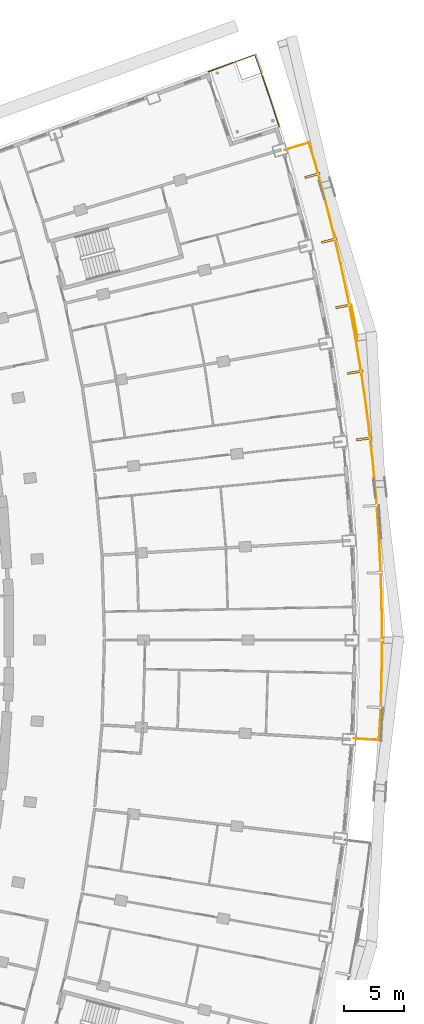
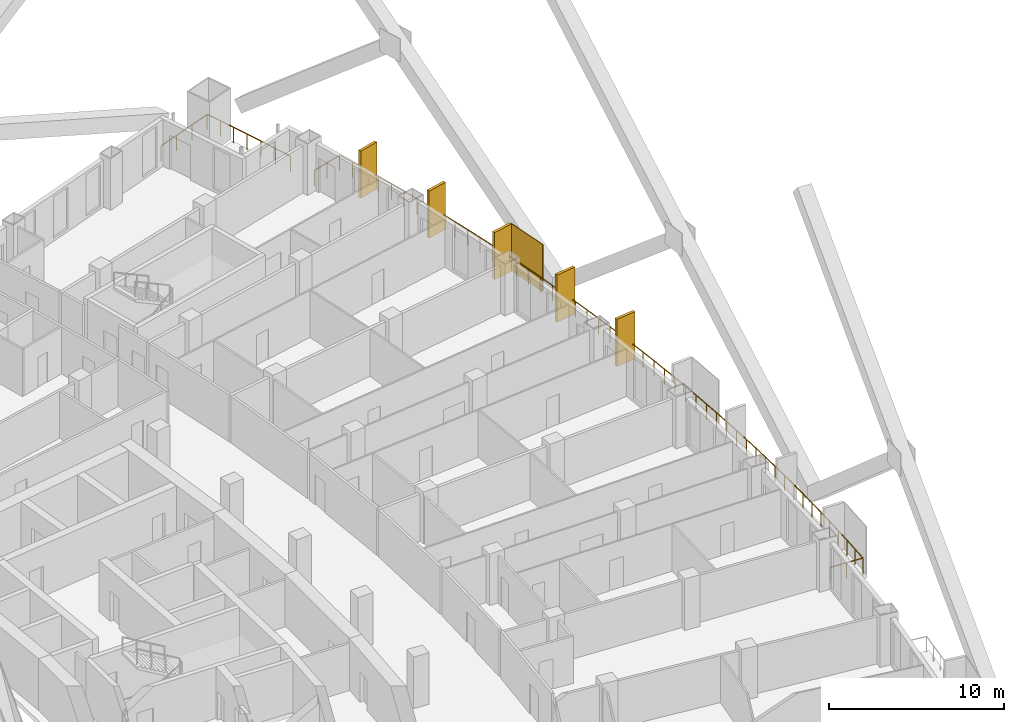
# One storey, part 26 of 26: 6 shading devices, 2 railings.
"""IFC4 building model written with IfcOpenShell, lengths in metres."""

from ifc_helpers import new_model, si_unit, direction, frame, origin, origin_2d, place, context, subcontext, project, spatial, rectangle, extrude, material, layer, layer_set, type_object, element, save


model = new_model("IFC4")

# Units and contexts
model_context = context("Model", 3, precision=1e-05, world=origin(), true_north=direction((0.0, 1.0)))
body_context = subcontext(model_context, "Body", "Model", "MODEL_VIEW")
ifc_project = project(units=[si_unit("LENGTHUNIT", "METRE"), si_unit("AREAUNIT", "SQUARE_METRE"), si_unit("VOLUMEUNIT", "CUBIC_METRE"), si_unit("PLANEANGLEUNIT", "RADIAN"), si_unit("MASSUNIT", "GRAM", prefix="KILO")], contexts=[model_context])

# Site, building, storey
site_placement = place(None, origin())
site = spatial("IfcSite", under=ifc_project, at=site_placement, CompositionType="ELEMENT")
building_placement = place(site_placement, origin())
building = spatial("IfcBuilding", under=site, at=building_placement, Name="Alderwake Tower", CompositionType="ELEMENT")
storey_placement = place(building_placement, frame((0.0, 0.0, 82.39990234375)))
storey = spatial("IfcBuildingStorey", under=building, at=storey_placement, Name="L19", CompositionType="ELEMENT", Elevation=82.39990234375)

# Railings
ifc_material_1 = material(Name="Stainless steel 316 rail and posts", Category="steel")
railing_type = type_object("IfcRailingType", Name="Balcony guard 1100", PredefinedType="GUARDRAIL", material=ifc_material_1)
railing_1_placement = place(storey_placement, frame((61.9638671875, 52.80810546875, 0.0)))
element("IfcRailing", 1, at=railing_1_placement, inside=storey, type_object=railing_type, Name="Guard BF06", PredefinedType="GUARDRAIL", context=body_context, shape_type="SweptSolid", body=[
    extrude(rectangle(XDim=0.048095703125, YDim=0.048095703125, at=origin_2d()), frame((0.0, 0.0, 1.076171875), z_axis=(0.998335953918, -0.057665614667, 0.0), x_axis=(0.057665614667, 0.998335953918, 0.0)), (0.0, 0.0, 1.0), 2.099853515625),
    extrude(rectangle(XDim=0.048095703125, YDim=0.048095703125, at=origin_2d()), frame((2.096435546875, -0.12109375, 1.076171875), z_axis=(0.050666548811, 0.998715625607, 0.0), x_axis=(-0.998715625607, 0.050666548811, 0.0)), (0.0, 0.0, 1.0), 2.004638671875),
    extrude(rectangle(XDim=0.048095703125, YDim=0.048095703125, at=origin_2d()), frame((2.197998046875, 1.880859375, 1.076171875), z_axis=(0.036432316563, 0.999336122788, 0.0), x_axis=(-0.999336122788, 0.036432316563, 0.0)), (0.0, 0.0, 1.0), 2.104248046875),
    extrude(rectangle(XDim=0.048095703125, YDim=0.048095703125, at=origin_2d()), frame((2.274658203125, 3.983642578125, 1.076171875), z_axis=(0.021925570375, 0.999759605787, 0.0), x_axis=(-0.999759605787, 0.021925570375, 0.0)), (0.0, 0.0, 1.0), 2.1044921875),
    extrude(rectangle(XDim=0.048095703125, YDim=0.048095703125, at=origin_2d()), frame((2.32080078125, 6.087646484375, 1.076171875), z_axis=(0.007309237393, 0.999973287168, 0.0), x_axis=(-0.999973287168, 0.007309237393, 0.0)), (0.0, 0.0, 1.0), 2.104248046875),
    extrude(rectangle(XDim=0.048095703125, YDim=0.048095703125, at=origin_2d()), frame((2.336181640625, 8.19189453125, 1.076171875), z_axis=(-0.007309237393, 0.999973287168, 0.0), x_axis=(-0.999973287168, -0.007309237393, 0.0)), (0.0, 0.0, 1.0), 2.104248046875),
    extrude(rectangle(XDim=0.048095703125, YDim=0.048095703125, at=origin_2d()), frame((2.32080078125, 10.296142578125, 1.076171875), z_axis=(-0.021925570375, 0.999759605787, 0.0), x_axis=(-0.999759605787, -0.021925570375, 0.0)), (0.0, 0.0, 1.0), 2.1044921875),
    extrude(rectangle(XDim=0.048095703125, YDim=0.048095703125, at=origin_2d()), frame((2.274658203125, 12.400146484375, 1.076171875), z_axis=(-0.036432316563, 0.999336122788, 0.0), x_axis=(-0.999336122788, -0.036432316563, 0.0)), (0.0, 0.0, 1.0), 2.104248046875),
    extrude(rectangle(XDim=0.048095703125, YDim=0.048095703125, at=origin_2d()), frame((2.197998046875, 14.5029296875, 1.076171875), z_axis=(-0.050932877851, 0.998702078677, 0.0), x_axis=(-0.998702078677, -0.050932877851, 0.0)), (0.0, 0.0, 1.0), 2.104248046875),
    extrude(rectangle(XDim=0.048095703125, YDim=0.048095703125, at=origin_2d()), frame((2.0908203125, 16.6044921875, 1.076171875), z_axis=(-0.065656675921, 0.99784227256, 0.0), x_axis=(-0.99784227256, -0.065656675921, 0.0)), (0.0, 0.0, 1.0), 2.104736328125),
    extrude(rectangle(XDim=0.048095703125, YDim=0.048095703125, at=origin_2d()), frame((1.95263671875, 18.70458984375, 1.076171875), z_axis=(-0.080058805511, 0.996790142237, 0.0), x_axis=(-0.996790142237, -0.080058805511, 0.0)), (0.0, 0.0, 1.0), 2.104248046875),
    extrude(rectangle(XDim=0.048095703125, YDim=0.048095703125, at=origin_2d()), frame((1.7841796875, 20.802001953125, 1.076171875), z_axis=(-0.094666747409, 0.995509019012, 0.0), x_axis=(-0.995509019012, -0.094666747409, 0.0)), (0.0, 0.0, 1.0), 2.1044921875),
    extrude(rectangle(XDim=0.048095703125, YDim=0.048095703125, at=origin_2d()), frame((1.5849609375, 22.89697265625, 1.076171875), z_axis=(-0.109170827012, 0.994023003018, 0.0), x_axis=(-0.994023003018, -0.109170827012, 0.0)), (0.0, 0.0, 1.0), 2.1044921875),
    extrude(rectangle(XDim=0.048095703125, YDim=0.048095703125, at=origin_2d()), frame((1.355224609375, 24.98876953125, 1.076171875), z_axis=(-0.123677740732, 0.992322435727, 0.0), x_axis=(-0.992322435727, -0.123677740732, 0.0)), (0.0, 0.0, 1.0), 2.104248046875),
    extrude(rectangle(XDim=0.048095703125, YDim=0.048095703125, at=origin_2d()), frame((1.094970703125, 27.076904296875, 1.076171875), z_axis=(-0.138058412224, 0.990424088365, 0.0), x_axis=(-0.990424088365, -0.138058412224, 0.0)), (0.0, 0.0, 1.0), 2.1044921875),
    extrude(rectangle(XDim=0.048095703125, YDim=0.048095703125, at=origin_2d()), frame((0.804443359375, 29.1611328125, 1.076171875), z_axis=(-0.152554066346, 0.988295126388, 0.0), x_axis=(-0.988295126388, -0.152554066346, 0.0)), (0.0, 0.0, 1.0), 2.1044921875),
    extrude(rectangle(XDim=0.048095703125, YDim=0.048095703125, at=origin_2d()), frame((0.4833984375, 31.240966796875, 1.076171875), z_axis=(-0.166957213464, 0.985964141778, 0.0), x_axis=(-0.985964141778, -0.166957213464, 0.0)), (0.0, 0.0, 1.0), 2.104248046875),
    extrude(rectangle(XDim=0.048095703125, YDim=0.048095703125, at=origin_2d()), frame((0.132080078125, 33.315673828125, 1.076171875), z_axis=(-0.181212626515, 0.983443940442, 0.0), x_axis=(-0.983443940442, -0.181212626515, 0.0)), (0.0, 0.0, 1.0), 2.1044921875),
    extrude(rectangle(XDim=0.048095703125, YDim=0.048095703125, at=origin_2d()), frame((-0.249267578125, 35.38525390625, 1.076171875), z_axis=(-0.195602960633, 0.980683170954, 0.0), x_axis=(-0.980683170954, -0.195602960633, 0.0)), (0.0, 0.0, 1.0), 2.1044921875),
    extrude(rectangle(XDim=0.048095703125, YDim=0.048095703125, at=origin_2d()), frame((-0.660888671875, 37.448974609375, 1.076171875), z_axis=(-0.209885633333, 0.977725943668, 0.0), x_axis=(-0.977725943668, -0.209885633333, 0.0)), (0.0, 0.0, 1.0), 2.104248046875),
    extrude(rectangle(XDim=0.048095703125, YDim=0.048095703125, at=origin_2d()), frame((-1.1025390625, 39.50634765625, 1.076171875), z_axis=(-0.224147692921, 0.974555186615, 0.0), x_axis=(-0.974555186615, -0.224147692921, 0.0)), (0.0, 0.0, 1.0), 2.104248046875),
    extrude(rectangle(XDim=0.048095703125, YDim=0.048095703125, at=origin_2d()), frame((-1.57421875, 41.55712890625, 1.076171875), z_axis=(-0.238302054277, 0.971191088781, 0.0), x_axis=(-0.971191088781, -0.238302054277, 0.0)), (0.0, 0.0, 1.0), 2.104248046875),
    extrude(rectangle(XDim=0.048095703125, YDim=0.048095703125, at=origin_2d()), frame((-2.07568359375, 43.600830078125, 1.076171875), z_axis=(-0.252431341957, 0.967614808484, 0.0), x_axis=(-0.967614808484, -0.252431341957, 0.0)), (0.0, 0.0, 1.0), 2.1044921875),
    extrude(rectangle(XDim=0.048095703125, YDim=0.048095703125, at=origin_2d()), frame((-2.60693359375, 45.63720703125, 1.076171875), z_axis=(-0.266620451379, 0.963801605574, 0.0), x_axis=(-0.963801605574, -0.266620451379, 0.0)), (0.0, 0.0, 1.0), 2.104248046875),
    extrude(rectangle(XDim=0.048095703125, YDim=0.048095703125, at=origin_2d()), frame((-3.16796875, 47.665283203125, 1.076171875), z_axis=(-0.280154349247, 0.959954968005, 0.0), x_axis=(-0.959954968005, -0.280154349247, 0.0)), (0.0, 0.0, 1.0), 2.00439453125),
    extrude(rectangle(XDim=0.048095703125, YDim=0.048095703125, at=origin_2d()), frame((-3.7294921875, 49.58935546875, 1.076171875), z_axis=(-0.957986128201, -0.286814536198, 0.0), x_axis=(0.286814536198, -0.957986128201, 0.0)), (0.0, 0.0, 1.0), 2.099853515625),
    extrude(rectangle(XDim=0.0419921875, YDim=0.0419921875, at=origin_2d()), frame((0.0, 0.0, 0.0), z_axis=(0.0, 0.0, 1.0), x_axis=(0.998335953918, -0.057665614667, 0.0)), (0.0, 0.0, 1.0), 1.052001953125),
    extrude(rectangle(XDim=0.0419921875, YDim=0.0419921875, at=origin_2d()), frame((1.04833984375, -0.060546875, 0.0), z_axis=(0.0, 0.0, 1.0), x_axis=(0.998335953918, -0.057665614667, 0.0)), (0.0, 0.0, 1.0), 1.052001953125),
    extrude(rectangle(XDim=0.0419921875, YDim=0.0419921875, at=origin_2d()), frame((2.096435546875, -0.12109375, 0.0), z_axis=(0.0, 0.0, 1.0), x_axis=(0.050666548811, 0.998715625607, 0.0)), (0.0, 0.0, 1.0), 1.052001953125),
    extrude(rectangle(XDim=0.0419921875, YDim=0.0419921875, at=origin_2d()), frame((2.147216796875, 0.8798828125, 0.0), z_axis=(0.0, 0.0, 1.0), x_axis=(0.050666548811, 0.998715625607, 0.0)), (0.0, 0.0, 1.0), 1.052001953125),
    extrude(rectangle(XDim=0.0419921875, YDim=0.0419921875, at=origin_2d()), frame((2.197998046875, 1.880859375, 0.0), z_axis=(0.0, 0.0, 1.0), x_axis=(0.036432316563, 0.999336122788, 0.0)), (0.0, 0.0, 1.0), 1.052001953125),
    extrude(rectangle(XDim=0.0419921875, YDim=0.0419921875, at=origin_2d()), frame((2.236328125, 2.93212890625, 0.0), z_axis=(0.0, 0.0, 1.0), x_axis=(0.036432316563, 0.999336122788, 0.0)), (0.0, 0.0, 1.0), 1.052001953125),
    extrude(rectangle(XDim=0.0419921875, YDim=0.0419921875, at=origin_2d()), frame((2.274658203125, 3.983642578125, 0.0), z_axis=(0.0, 0.0, 1.0), x_axis=(0.021925570375, 0.999759605787, 0.0)), (0.0, 0.0, 1.0), 1.052001953125),
    extrude(rectangle(XDim=0.0419921875, YDim=0.0419921875, at=origin_2d()), frame((2.2978515625, 5.03564453125, 0.0), z_axis=(0.0, 0.0, 1.0), x_axis=(0.021925570375, 0.999759605787, 0.0)), (0.0, 0.0, 1.0), 1.052001953125),
    extrude(rectangle(XDim=0.0419921875, YDim=0.0419921875, at=origin_2d()), frame((2.32080078125, 6.087646484375, 0.0), z_axis=(0.0, 0.0, 1.0), x_axis=(0.007309237393, 0.999973287168, 0.0)), (0.0, 0.0, 1.0), 1.052001953125),
    extrude(rectangle(XDim=0.0419921875, YDim=0.0419921875, at=origin_2d()), frame((2.32861328125, 7.1396484375, 0.0), z_axis=(0.0, 0.0, 1.0), x_axis=(0.007309237393, 0.999973287168, 0.0)), (0.0, 0.0, 1.0), 1.052001953125),
    extrude(rectangle(XDim=0.0419921875, YDim=0.0419921875, at=origin_2d()), frame((2.336181640625, 8.19189453125, 0.0), z_axis=(0.0, 0.0, 1.0), x_axis=(-0.007309237393, 0.999973287168, 0.0)), (0.0, 0.0, 1.0), 1.052001953125),
    extrude(rectangle(XDim=0.0419921875, YDim=0.0419921875, at=origin_2d()), frame((2.32861328125, 9.244140625, 0.0), z_axis=(0.0, 0.0, 1.0), x_axis=(-0.007309237393, 0.999973287168, 0.0)), (0.0, 0.0, 1.0), 1.052001953125),
    extrude(rectangle(XDim=0.0419921875, YDim=0.0419921875, at=origin_2d()), frame((2.32080078125, 10.296142578125, 0.0), z_axis=(0.0, 0.0, 1.0), x_axis=(-0.021925570375, 0.999759605787, 0.0)), (0.0, 0.0, 1.0), 1.052001953125),
    extrude(rectangle(XDim=0.0419921875, YDim=0.0419921875, at=origin_2d()), frame((2.2978515625, 11.34814453125, 0.0), z_axis=(0.0, 0.0, 1.0), x_axis=(-0.021925570375, 0.999759605787, 0.0)), (0.0, 0.0, 1.0), 1.052001953125),
    extrude(rectangle(XDim=0.0419921875, YDim=0.0419921875, at=origin_2d()), frame((2.274658203125, 12.400146484375, 0.0), z_axis=(0.0, 0.0, 1.0), x_axis=(-0.036432316563, 0.999336122788, 0.0)), (0.0, 0.0, 1.0), 1.052001953125),
    extrude(rectangle(XDim=0.0419921875, YDim=0.0419921875, at=origin_2d()), frame((2.236328125, 13.45166015625, 0.0), z_axis=(0.0, 0.0, 1.0), x_axis=(-0.036432316563, 0.999336122788, 0.0)), (0.0, 0.0, 1.0), 1.052001953125),
    extrude(rectangle(XDim=0.0419921875, YDim=0.0419921875, at=origin_2d()), frame((2.197998046875, 14.5029296875, 0.0), z_axis=(0.0, 0.0, 1.0), x_axis=(-0.050932877851, 0.998702078677, 0.0)), (0.0, 0.0, 1.0), 1.052001953125),
    extrude(rectangle(XDim=0.0419921875, YDim=0.0419921875, at=origin_2d()), frame((2.14453125, 15.5537109375, 0.0), z_axis=(0.0, 0.0, 1.0), x_axis=(-0.050932877851, 0.998702078677, 0.0)), (0.0, 0.0, 1.0), 1.052001953125),
    extrude(rectangle(XDim=0.0419921875, YDim=0.0419921875, at=origin_2d()), frame((2.0908203125, 16.6044921875, 0.0), z_axis=(0.0, 0.0, 1.0), x_axis=(-0.065656675921, 0.99784227256, 0.0)), (0.0, 0.0, 1.0), 1.052001953125),
    extrude(rectangle(XDim=0.0419921875, YDim=0.0419921875, at=origin_2d()), frame((2.021728515625, 17.654541015625, 0.0), z_axis=(0.0, 0.0, 1.0), x_axis=(-0.065656675921, 0.99784227256, 0.0)), (0.0, 0.0, 1.0), 1.052001953125),
    extrude(rectangle(XDim=0.0419921875, YDim=0.0419921875, at=origin_2d()), frame((1.95263671875, 18.70458984375, 0.0), z_axis=(0.0, 0.0, 1.0), x_axis=(-0.080058805511, 0.996790142237, 0.0)), (0.0, 0.0, 1.0), 1.052001953125),
    extrude(rectangle(XDim=0.0419921875, YDim=0.0419921875, at=origin_2d()), frame((1.868408203125, 19.75341796875, 0.0), z_axis=(0.0, 0.0, 1.0), x_axis=(-0.080058805511, 0.996790142237, 0.0)), (0.0, 0.0, 1.0), 1.052001953125),
    extrude(rectangle(XDim=0.0419921875, YDim=0.0419921875, at=origin_2d()), frame((1.7841796875, 20.802001953125, 0.0), z_axis=(0.0, 0.0, 1.0), x_axis=(-0.094666747409, 0.995509019012, 0.0)), (0.0, 0.0, 1.0), 1.052001953125),
    extrude(rectangle(XDim=0.0419921875, YDim=0.0419921875, at=origin_2d()), frame((1.6845703125, 21.849609375, 0.0), z_axis=(0.0, 0.0, 1.0), x_axis=(-0.094666747409, 0.995509019012, 0.0)), (0.0, 0.0, 1.0), 1.052001953125),
    extrude(rectangle(XDim=0.0419921875, YDim=0.0419921875, at=origin_2d()), frame((1.5849609375, 22.89697265625, 0.0), z_axis=(0.0, 0.0, 1.0), x_axis=(-0.109170827012, 0.994023003018, 0.0)), (0.0, 0.0, 1.0), 1.052001953125),
    extrude(rectangle(XDim=0.0419921875, YDim=0.0419921875, at=origin_2d()), frame((1.47021484375, 23.94287109375, 0.0), z_axis=(0.0, 0.0, 1.0), x_axis=(-0.109170827012, 0.994023003018, 0.0)), (0.0, 0.0, 1.0), 1.052001953125),
    extrude(rectangle(XDim=0.0419921875, YDim=0.0419921875, at=origin_2d()), frame((1.355224609375, 24.98876953125, 0.0), z_axis=(0.0, 0.0, 1.0), x_axis=(-0.123677740732, 0.992322435727, 0.0)), (0.0, 0.0, 1.0), 1.052001953125),
    extrude(rectangle(XDim=0.0419921875, YDim=0.0419921875, at=origin_2d()), frame((1.22509765625, 26.03271484375, 0.0), z_axis=(0.0, 0.0, 1.0), x_axis=(-0.123677740732, 0.992322435727, 0.0)), (0.0, 0.0, 1.0), 1.052001953125),
    extrude(rectangle(XDim=0.0419921875, YDim=0.0419921875, at=origin_2d()), frame((1.094970703125, 27.076904296875, 0.0), z_axis=(0.0, 0.0, 1.0), x_axis=(-0.138058412224, 0.990424088365, 0.0)), (0.0, 0.0, 1.0), 1.052001953125),
    extrude(rectangle(XDim=0.0419921875, YDim=0.0419921875, at=origin_2d()), frame((0.94970703125, 28.119140625, 0.0), z_axis=(0.0, 0.0, 1.0), x_axis=(-0.138058412224, 0.990424088365, 0.0)), (0.0, 0.0, 1.0), 1.052001953125),
    extrude(rectangle(XDim=0.0419921875, YDim=0.0419921875, at=origin_2d()), frame((0.804443359375, 29.1611328125, 0.0), z_axis=(0.0, 0.0, 1.0), x_axis=(-0.152554066346, 0.988295126388, 0.0)), (0.0, 0.0, 1.0), 1.052001953125),
    extrude(rectangle(XDim=0.0419921875, YDim=0.0419921875, at=origin_2d()), frame((0.64404296875, 30.201171875, 0.0), z_axis=(0.0, 0.0, 1.0), x_axis=(-0.152554066346, 0.988295126388, 0.0)), (0.0, 0.0, 1.0), 1.052001953125),
    extrude(rectangle(XDim=0.0419921875, YDim=0.0419921875, at=origin_2d()), frame((0.4833984375, 31.240966796875, 0.0), z_axis=(0.0, 0.0, 1.0), x_axis=(-0.166957213464, 0.985964141778, 0.0)), (0.0, 0.0, 1.0), 1.052001953125),
    extrude(rectangle(XDim=0.0419921875, YDim=0.0419921875, at=origin_2d()), frame((0.3076171875, 32.2783203125, 0.0), z_axis=(0.0, 0.0, 1.0), x_axis=(-0.166957213464, 0.985964141778, 0.0)), (0.0, 0.0, 1.0), 1.052001953125),
    extrude(rectangle(XDim=0.0419921875, YDim=0.0419921875, at=origin_2d()), frame((0.132080078125, 33.315673828125, 0.0), z_axis=(0.0, 0.0, 1.0), x_axis=(-0.181212626515, 0.983443940442, 0.0)), (0.0, 0.0, 1.0), 1.052001953125),
    extrude(rectangle(XDim=0.0419921875, YDim=0.0419921875, at=origin_2d()), frame((-0.05859375, 34.3505859375, 0.0), z_axis=(0.0, 0.0, 1.0), x_axis=(-0.181212626515, 0.983443940442, 0.0)), (0.0, 0.0, 1.0), 1.052001953125),
    extrude(rectangle(XDim=0.0419921875, YDim=0.0419921875, at=origin_2d()), frame((-0.249267578125, 35.38525390625, 0.0), z_axis=(0.0, 0.0, 1.0), x_axis=(-0.195602960633, 0.980683170954, 0.0)), (0.0, 0.0, 1.0), 1.052001953125),
    extrude(rectangle(XDim=0.0419921875, YDim=0.0419921875, at=origin_2d()), frame((-0.455078125, 36.4169921875, 0.0), z_axis=(0.0, 0.0, 1.0), x_axis=(-0.195602960633, 0.980683170954, 0.0)), (0.0, 0.0, 1.0), 1.052001953125),
    extrude(rectangle(XDim=0.0419921875, YDim=0.0419921875, at=origin_2d()), frame((-0.660888671875, 37.448974609375, 0.0), z_axis=(0.0, 0.0, 1.0), x_axis=(-0.209885633333, 0.977725943668, 0.0)), (0.0, 0.0, 1.0), 1.052001953125),
    extrude(rectangle(XDim=0.0419921875, YDim=0.0419921875, at=origin_2d()), frame((-0.8818359375, 38.4775390625, 0.0), z_axis=(0.0, 0.0, 1.0), x_axis=(-0.209885633333, 0.977725943668, 0.0)), (0.0, 0.0, 1.0), 1.052001953125),
    extrude(rectangle(XDim=0.0419921875, YDim=0.0419921875, at=origin_2d()), frame((-1.1025390625, 39.50634765625, 0.0), z_axis=(0.0, 0.0, 1.0), x_axis=(-0.224147692921, 0.974555186615, 0.0)), (0.0, 0.0, 1.0), 1.052001953125),
    extrude(rectangle(XDim=0.0419921875, YDim=0.0419921875, at=origin_2d()), frame((-1.33837890625, 40.53173828125, 0.0), z_axis=(0.0, 0.0, 1.0), x_axis=(-0.224147692921, 0.974555186615, 0.0)), (0.0, 0.0, 1.0), 1.052001953125),
    extrude(rectangle(XDim=0.0419921875, YDim=0.0419921875, at=origin_2d()), frame((-1.57421875, 41.55712890625, 0.0), z_axis=(0.0, 0.0, 1.0), x_axis=(-0.238302054277, 0.971191088781, 0.0)), (0.0, 0.0, 1.0), 1.052001953125),
    extrude(rectangle(XDim=0.0419921875, YDim=0.0419921875, at=origin_2d()), frame((-1.824951171875, 42.5791015625, 0.0), z_axis=(0.0, 0.0, 1.0), x_axis=(-0.238302054277, 0.971191088781, 0.0)), (0.0, 0.0, 1.0), 1.052001953125),
    extrude(rectangle(XDim=0.0419921875, YDim=0.0419921875, at=origin_2d()), frame((-2.07568359375, 43.600830078125, 0.0), z_axis=(0.0, 0.0, 1.0), x_axis=(-0.252431341957, 0.967614808484, 0.0)), (0.0, 0.0, 1.0), 1.052001953125),
    extrude(rectangle(XDim=0.0419921875, YDim=0.0419921875, at=origin_2d()), frame((-2.34130859375, 44.619140625, 0.0), z_axis=(0.0, 0.0, 1.0), x_axis=(-0.252431341957, 0.967614808484, 0.0)), (0.0, 0.0, 1.0), 1.052001953125),
    extrude(rectangle(XDim=0.0419921875, YDim=0.0419921875, at=origin_2d()), frame((-2.60693359375, 45.63720703125, 0.0), z_axis=(0.0, 0.0, 1.0), x_axis=(-0.266620451379, 0.963801605574, 0.0)), (0.0, 0.0, 1.0), 1.052001953125),
    extrude(rectangle(XDim=0.0419921875, YDim=0.0419921875, at=origin_2d()), frame((-2.887451171875, 46.6513671875, 0.0), z_axis=(0.0, 0.0, 1.0), x_axis=(-0.266620451379, 0.963801605574, 0.0)), (0.0, 0.0, 1.0), 1.052001953125),
    extrude(rectangle(XDim=0.0419921875, YDim=0.0419921875, at=origin_2d()), frame((-3.16796875, 47.665283203125, 0.0), z_axis=(0.0, 0.0, 1.0), x_axis=(-0.280154349247, 0.959954968005, 0.0)), (0.0, 0.0, 1.0), 1.052001953125),
    extrude(rectangle(XDim=0.0419921875, YDim=0.0419921875, at=origin_2d()), frame((-3.44873046875, 48.62744140625, 0.0), z_axis=(0.0, 0.0, 1.0), x_axis=(-0.280154349247, 0.959954968005, 0.0)), (0.0, 0.0, 1.0), 1.052001953125),
    extrude(rectangle(XDim=0.0419921875, YDim=0.0419921875, at=origin_2d()), frame((-3.7294921875, 49.58935546875, 0.0), z_axis=(0.0, 0.0, 1.0), x_axis=(-0.957986128201, -0.286814536198, 0.0)), (0.0, 0.0, 1.0), 1.052001953125),
    extrude(rectangle(XDim=0.0419921875, YDim=0.0419921875, at=origin_2d()), frame((-4.7353515625, 49.2880859375, 0.0), z_axis=(0.0, 0.0, 1.0), x_axis=(-0.957986128201, -0.286814536198, 0.0)), (0.0, 0.0, 1.0), 1.052001953125),
    extrude(rectangle(XDim=0.0419921875, YDim=0.0419921875, at=origin_2d()), frame((-5.7412109375, 48.987060546875, 0.0), z_axis=(0.0, 0.0, 1.0), x_axis=(-0.957986128201, -0.286814536198, 0.0)), (0.0, 0.0, 1.0), 1.052001953125),
])
railing_2_placement = place(storey_placement, frame((55.739013671875, 103.710693359375, 0.0)))
element("IfcRailing", 2, at=railing_2_placement, inside=storey, type_object=railing_type, Name="Guard terrace FN", PredefinedType="GUARDRAIL", context=body_context, shape_type="SweptSolid", body=[
    extrude(rectangle(XDim=0.048095703125, YDim=0.048095703125, at=origin_2d()), frame((0.0, 0.0, 1.076171875), z_axis=(-0.307748860356, 0.9514676237, 0.0), x_axis=(-0.9514676237, -0.307748860356, 0.0)), (0.0, 0.0, 1.0), 2.275146484375),
    extrude(rectangle(XDim=0.048095703125, YDim=0.048095703125, at=origin_2d()), frame((-0.7001953125, 2.164794921875, 1.076171875), z_axis=(-0.322257067834, 0.946652197077, 0.0), x_axis=(-0.946652197077, -0.322257067834, 0.0)), (0.0, 0.0, 1.0), 2.074951171875),
    extrude(rectangle(XDim=0.048095703125, YDim=0.048095703125, at=origin_2d()), frame((-1.368896484375, 4.129150390625, 1.076171875), z_axis=(-0.335702093232, 0.94196820785, 0.0), x_axis=(-0.94196820785, -0.335702093232, 0.0)), (0.0, 0.0, 1.0), 1.975341796875),
    extrude(rectangle(XDim=0.048095703125, YDim=0.048095703125, at=origin_2d()), frame((-2.031982421875, 5.98974609375, 1.076171875), z_axis=(-0.939605522223, -0.34225934992, 0.0), x_axis=(0.34225934992, -0.939605522223, 0.0)), (0.0, 0.0, 1.0), 4.10009765625),
    extrude(rectangle(XDim=0.0419921875, YDim=0.0419921875, at=origin_2d()), frame((0.0, 0.0, 0.0), z_axis=(0.0, 0.0, 1.0), x_axis=(-0.307748860356, 0.9514676237, 0.0)), (0.0, 0.0, 1.0), 1.052001953125),
    extrude(rectangle(XDim=0.0419921875, YDim=0.0419921875, at=origin_2d()), frame((-0.35009765625, 1.08251953125, 0.0), z_axis=(0.0, 0.0, 1.0), x_axis=(-0.307748860356, 0.9514676237, 0.0)), (0.0, 0.0, 1.0), 1.052001953125),
    extrude(rectangle(XDim=0.0419921875, YDim=0.0419921875, at=origin_2d()), frame((-0.7001953125, 2.164794921875, 0.0), z_axis=(0.0, 0.0, 1.0), x_axis=(-0.322257067834, 0.946652197077, 0.0)), (0.0, 0.0, 1.0), 1.052001953125),
    extrude(rectangle(XDim=0.0419921875, YDim=0.0419921875, at=origin_2d()), frame((-1.03466796875, 3.14697265625, 0.0), z_axis=(0.0, 0.0, 1.0), x_axis=(-0.322257067834, 0.946652197077, 0.0)), (0.0, 0.0, 1.0), 1.052001953125),
    extrude(rectangle(XDim=0.0419921875, YDim=0.0419921875, at=origin_2d()), frame((-1.368896484375, 4.129150390625, 0.0), z_axis=(0.0, 0.0, 1.0), x_axis=(-0.335702093232, 0.94196820785, 0.0)), (0.0, 0.0, 1.0), 1.052001953125),
    extrude(rectangle(XDim=0.0419921875, YDim=0.0419921875, at=origin_2d()), frame((-1.700439453125, 5.0595703125, 0.0), z_axis=(0.0, 0.0, 1.0), x_axis=(-0.335702093232, 0.94196820785, 0.0)), (0.0, 0.0, 1.0), 1.052001953125),
    extrude(rectangle(XDim=0.0419921875, YDim=0.0419921875, at=origin_2d()), frame((-2.031982421875, 5.98974609375, 0.0), z_axis=(0.0, 0.0, 1.0), x_axis=(-0.939605522223, -0.34225934992, 0.0)), (0.0, 0.0, 1.0), 1.052001953125),
    extrude(rectangle(XDim=0.0419921875, YDim=0.0419921875, at=origin_2d()), frame((-3.316162109375, 5.52197265625, 0.0), z_axis=(0.0, 0.0, 1.0), x_axis=(-0.939605522223, -0.34225934992, 0.0)), (0.0, 0.0, 1.0), 1.052001953125),
    extrude(rectangle(XDim=0.0419921875, YDim=0.0419921875, at=origin_2d()), frame((-4.600341796875, 5.05419921875, 0.0), z_axis=(0.0, 0.0, 1.0), x_axis=(-0.939605522223, -0.34225934992, 0.0)), (0.0, 0.0, 1.0), 1.052001953125),
    extrude(rectangle(XDim=0.0419921875, YDim=0.0419921875, at=origin_2d()), frame((-5.884521484375, 4.58642578125, 0.0), z_axis=(0.0, 0.0, 1.0), x_axis=(-0.939605522223, -0.34225934992, 0.0)), (0.0, 0.0, 1.0), 1.052001953125),
])

# Shading devices
ifc_material_2 = material(Name="Bronze anodised aluminium", Category="aluminium")
ifc_layer_1 = layer(ifc_material_2, 0.179931640625)
ifc_layer_set_1 = layer_set([ifc_layer_1], Name="Facade fin 1300")
shading_device_type_1 = type_object("IfcShadingDeviceType", Name="Facade fin 1300", PredefinedType="USERDEFINED", material=ifc_layer_set_1)
for number, where, z_axis, x_axis, name in (
    (3, (62.822021484375, 77.743408203125, 0.0), (0.0, 0.0, 1.0), (0.993198315083, 0.116434990084, 0.0), "Fin"),
    (4, (62.062744140625, 83.28515625, 0.0), (0.0, 0.0, 1.0), (0.987918787879, 0.154972476771, 0.0), "Fin"),
    (5, (61.09130859375, 88.779052734375, 0.0), (0.0, 0.0, 1.0), (0.981163751315, 0.193177879441, 0.0), "Fin"),
    (6, (59.904296875, 94.2451171875, 0.0), (0.0, 0.0, 1.0), (0.972908790564, 0.231189284448, 0.0), "Fin"),
    (7, (58.505615234375, 99.660888671875, 0.0), (0.0, 0.0, 1.0), (0.96318180783, 0.268850897459, 0.0), "Fin"),
):
    element("IfcShadingDevice", number, at=place(storey_placement, frame(where, z_axis=z_axis, x_axis=x_axis)), inside=storey, type_object=shading_device_type_1, Name=name, ObjectType="FIN", PredefinedType="USERDEFINED", context=body_context, shape_type="SweptSolid", body=[
        extrude(rectangle(XDim=1.300048828125, YDim=0.179931640625, at=origin_2d()), origin(), (0.0, 0.0, 1.0), 3.280029296875),
    ])
ifc_material_3 = material(Name="Perforated bronze anodised aluminium", Category="aluminium")
ifc_layer_2 = layer(ifc_material_3, 0.050048828125)
ifc_layer_set_2 = layer_set([ifc_layer_2], Name="Perforated screen panel")
shading_device_type_2 = type_object("IfcShadingDeviceType", Name="Perforated screen panel", PredefinedType="USERDEFINED", material=ifc_layer_set_2)
shading_device_placement = place(storey_placement, frame((62.010986328125, 87.53173828125, 0.0), z_axis=(0.0, 0.0, 1.0), x_axis=(0.982991488043, 0.183651121519, 0.0)))
element("IfcShadingDevice", 8, at=shading_device_placement, inside=storey, type_object=shading_device_type_2, Name="Screen panel", ObjectType="SCREEN", PredefinedType="USERDEFINED", context=body_context, shape_type="SweptSolid", body=[
    extrude(rectangle(XDim=0.050048828125, YDim=2.802734375, at=origin_2d()), origin(), (0.0, 0.0, 1.0), 3.280029296875),
])

save(model, "model.ifc")
